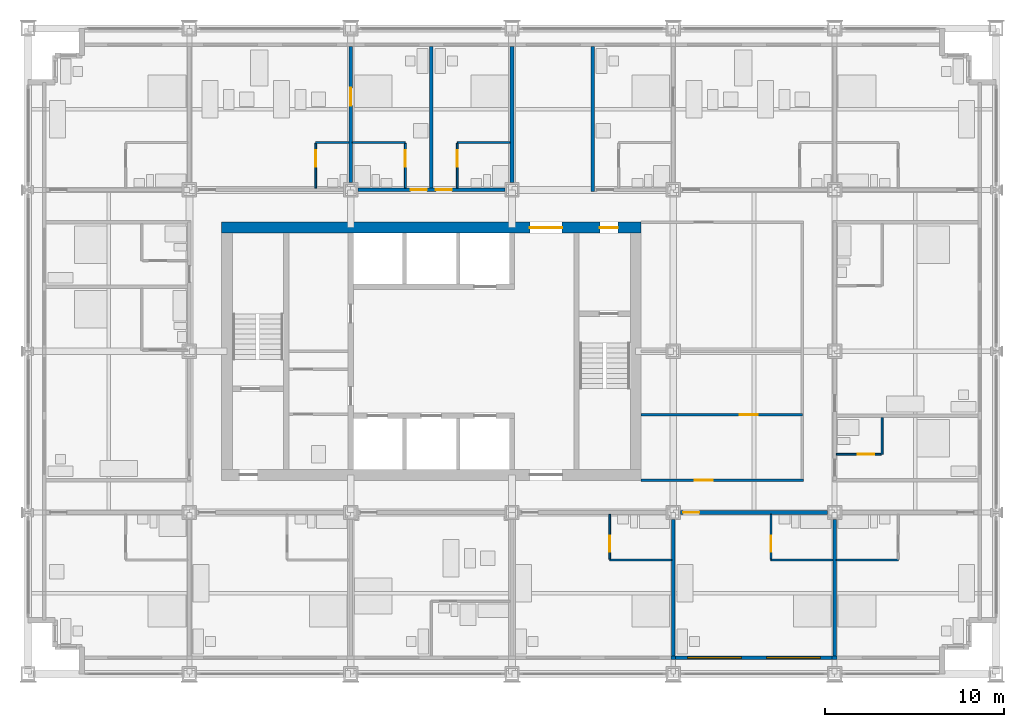
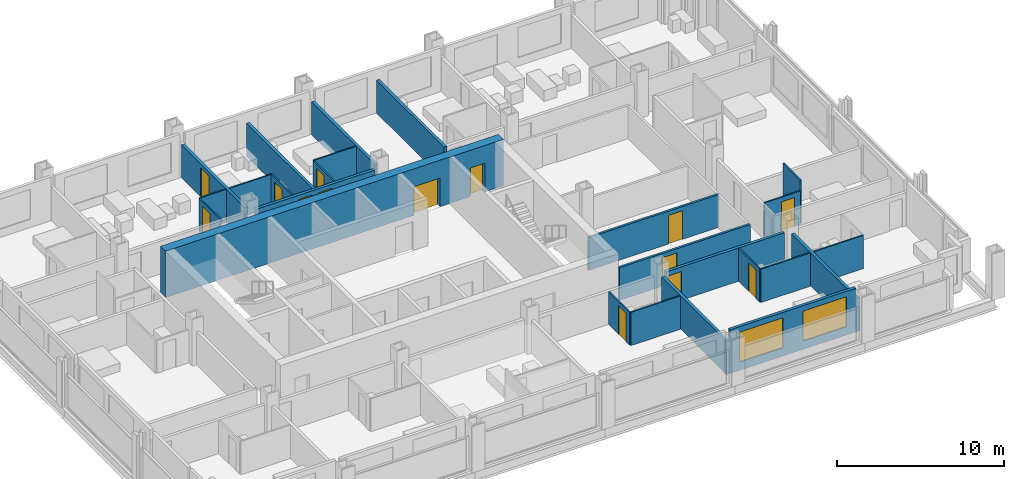
# One storey, part 12 of 18: 27 walls, 14 doors, 2 windows, 16 openings.
"""IFC4 building model written with IfcOpenShell, lengths in metres."""

from ifc_helpers import new_model, si_unit, direction, frame, frame_2d, origin, place, context, subcontext, project, spatial, rectangle, extrude, material, layer, layer_set, type_object, element, fill, save


model = new_model("IFC4")

# Units and contexts
model_context = context("Model", 3, precision=1e-05, world=origin(), true_north=direction((0.0, 1.0)))
body_context = subcontext(model_context, "Body", "Model", "MODEL_VIEW")
ifc_project = project(units=[si_unit("LENGTHUNIT", "METRE"), si_unit("AREAUNIT", "SQUARE_METRE"), si_unit("VOLUMEUNIT", "CUBIC_METRE"), si_unit("PLANEANGLEUNIT", "RADIAN"), si_unit("MASSUNIT", "GRAM", prefix="KILO")], contexts=[model_context])

# Site, building, storey
site_placement = place(None, origin())
site = spatial("IfcSite", under=ifc_project, at=site_placement, CompositionType="ELEMENT")
building_placement = place(site_placement, origin())
building = spatial("IfcBuilding", under=site, at=building_placement, Name="Loomwork Tower", CompositionType="ELEMENT")
storey_placement = place(building_placement, frame((0.0, 0.0, 48.39990234375)))
storey = spatial("IfcBuildingStorey", under=building, at=storey_placement, Name="L11", CompositionType="ELEMENT", Elevation=48.39990234375)

# Wall, openings, doors
ifc_material_1 = material(Name="Concrete 14000 psi (97 MPa)", Category="concrete")
ifc_layer_1 = layer(ifc_material_1, 0.60009765625)
ifc_layer_set_1 = layer_set([ifc_layer_1], Name="Core shear wall 600")
wall_type_1 = type_object("IfcWallType", Name="Core shear wall 600", PredefinedType="SHEAR", material=ifc_layer_set_1)
wall_1_placement = place(storey_placement, frame((10.800048828125, 24.89990234375, 0.0), z_axis=(0.0, 0.0, 1.0), x_axis=(1.0, 0.0, 0.0)))
wall_1 = element("IfcWall", 1, at=wall_1_placement, inside=storey, type_object=wall_type_1, Name="Core wall north L11", PredefinedType="SHEAR", context=body_context, shape_type="SweptSolid", body=[
    extrude(rectangle(XDim=23.39990234375, YDim=0.60009765625, at=frame_2d((11.699951171875, 0.0))), origin(), (0.0, 0.0, 1.0), 3.400146484375),
])
opening_1_placement = place(wall_1_placement, frame((17.199951171875, 0.0, 0.0)))
opening_1 = element("IfcOpeningElement", 2, at=opening_1_placement, cuts=wall_1, Name="Opening D6", PredefinedType="OPENING", context=body_context, shape_type="SweptSolid", body=[
    extrude(rectangle(XDim=1.800048828125, YDim=2.10009765625, at=frame_2d((0.89990234375, 1.050048828125))), frame((0.0, 0.31005859375, 0.0), z_axis=(0.0, -1.0, 0.0), x_axis=(1.0, 0.0, 0.0)), (0.0, 0.0, 1.0), 0.6201171875),
])
opening_2_placement = place(wall_1_placement, frame((21.10009765625, 0.0, 0.0)))
opening_2 = element("IfcOpeningElement", 3, at=opening_2_placement, cuts=wall_1, Name="Opening D4", PredefinedType="OPENING", context=body_context, shape_type="SweptSolid", body=[
    extrude(rectangle(XDim=1.0, YDim=2.10009765625, at=frame_2d((0.5, 1.050048828125))), frame((0.0, 0.31005859375, 0.0), z_axis=(0.0, -1.0, 0.0), x_axis=(1.0, 0.0, 0.0)), (0.0, 0.0, 1.0), 0.6201171875),
])
ifc_material_2 = material(Name="Hollow metal door and frame")
door_type_1 = type_object("IfcDoorType", Name="Lobby passage double door 1800", OperationType="DOUBLE_DOOR_SINGLE_SWING", PredefinedType="DOOR", material=ifc_material_2)
door_1_placement = place(opening_1_placement, frame((1.800048828125, 0.0, 0.0), z_axis=(0.0, 0.0, 1.0), x_axis=(-1.0, 0.0, 0.0)))
door_1 = element("IfcDoor", 4, at=door_1_placement, inside=storey, type_object=door_type_1, Name="Lobby passage door north", OperationType="DOUBLE_DOOR_SINGLE_SWING", OverallHeight=2.10009765625, OverallWidth=1.800048828125, PredefinedType="DOOR", context=body_context, shape_type="SweptSolid", body=[
    extrude(rectangle(XDim=1.800048828125, YDim=2.10009765625, at=frame_2d((0.89990234375, 1.050048828125))), frame((0.0, 0.02490234375, 0.0), z_axis=(0.0, -1.0, 0.0), x_axis=(1.0, 0.0, 0.0)), (0.0, 0.0, 1.0), 0.050048828125),
])
fill(opening_1, door_1)
ifc_material_3 = material(Name="Hollow metal door and frame")
door_type_2 = type_object("IfcDoorType", Name="Stair door 1000", OperationType="SINGLE_SWING_RIGHT", PredefinedType="DOOR", material=ifc_material_3)
door_2_placement = place(opening_2_placement, frame((1.0, 0.0, 0.0), z_axis=(0.0, 0.0, 1.0), x_axis=(-1.0, 0.0, 0.0)))
door_2 = element("IfcDoor", 5, at=door_2_placement, inside=storey, type_object=door_type_2, Name="Stair B vestibule door", OperationType="SINGLE_SWING_LEFT", OverallHeight=2.10009765625, OverallWidth=1.0, PredefinedType="DOOR", context=body_context, shape_type="SweptSolid", body=[
    extrude(rectangle(XDim=1.0, YDim=2.10009765625, at=frame_2d((0.5, 1.050048828125))), frame((0.0, 0.02490234375, 0.0), z_axis=(0.0, -1.0, 0.0), x_axis=(1.0, 0.0, 0.0)), (0.0, 0.0, 1.0), 0.050048828125),
])
fill(opening_2, door_2)

# Wall, opening, door
ifc_material_4 = material(Name="Gypsum board on steel studs, one-hour", Category="steel")
ifc_layer_2 = layer(ifc_material_4, 0.199951171875)
ifc_layer_set_2 = layer_set([ifc_layer_2], Name="Corridor wall 200")
wall_type_2 = type_object("IfcWallType", Name="Corridor wall 200", PredefinedType="PARTITIONING", material=ifc_layer_set_2)
wall_2_placement = place(storey_placement, frame((36.39990234375, 9.0, 0.0), z_axis=(0.0, 0.0, 1.0), x_axis=(1.0, 0.0, 0.0)))
wall_2 = element("IfcWall", 6, at=wall_2_placement, inside=storey, type_object=wall_type_2, Name="South corridor wall 5", PredefinedType="PARTITIONING", context=body_context, shape_type="SweptSolid", body=[
    extrude(rectangle(XDim=8.2001953125, YDim=0.199951171875, at=frame_2d((4.10009765625, 0.0))), origin(), (0.0, 0.0, 1.0), 2.43798828125),
])
opening_3_placement = place(wall_2_placement, frame((0.14990234375, 0.0, 0.0)))
opening_3 = element("IfcOpeningElement", 7, at=opening_3_placement, cuts=wall_2, Name="Opening D1", PredefinedType="OPENING", context=body_context, shape_type="SweptSolid", body=[
    extrude(rectangle(XDim=0.89990234375, YDim=2.10009765625, at=frame_2d((0.449951171875, 1.050048828125))), frame((0.0, 0.10986328125, 0.0), z_axis=(0.0, -1.0, 0.0), x_axis=(1.0, 0.0, 0.0)), (0.0, 0.0, 1.0), 0.219970703125),
])
ifc_material_5 = material(Name="Hollow metal door and frame")
door_type_3 = type_object("IfcDoorType", Name="Guest room entry door 900", OperationType="SINGLE_SWING_LEFT", PredefinedType="DOOR", material=ifc_material_5)
door_3_placement = place(opening_3_placement, frame((0.89990234375, 0.0, 0.0), z_axis=(0.0, 0.0, 1.0), x_axis=(-1.0, 0.0, 0.0)))
door_3 = element("IfcDoor", 8, at=door_3_placement, inside=storey, type_object=door_type_3, Name="Guest room entry door L11 5", OperationType="SINGLE_SWING_RIGHT", OverallHeight=2.10009765625, OverallWidth=0.89990234375, PredefinedType="DOOR", context=body_context, shape_type="SweptSolid", body=[
    extrude(rectangle(XDim=0.89990234375, YDim=2.10009765625, at=frame_2d((0.449951171875, 1.050048828125))), frame((0.0, 0.02490234375, 0.0), z_axis=(0.0, -1.0, 0.0), x_axis=(1.0, 0.0, 0.0)), (0.0, 0.0, 1.0), 0.050048828125),
])
fill(opening_3, door_3)

# Wall, openings, doors
wall_3_placement = place(storey_placement, frame((18.39990234375, 27.0, 0.0), z_axis=(0.0, 0.0, 1.0), x_axis=(1.0, 0.0, 0.0)))
wall_3 = element("IfcWall", 9, at=wall_3_placement, inside=storey, type_object=wall_type_2, Name="North corridor wall 3", PredefinedType="PARTITIONING", context=body_context, shape_type="SweptSolid", body=[
    extrude(rectangle(XDim=8.2001953125, YDim=0.199951171875, at=frame_2d((4.10009765625, 0.0))), origin(), (0.0, 0.0, 1.0), 2.405029296875),
])
opening_4_placement = place(wall_3_placement, frame((2.949951171875, 0.0, 0.0)))
opening_4 = element("IfcOpeningElement", 10, at=opening_4_placement, cuts=wall_3, Name="Opening D1", PredefinedType="OPENING", context=body_context, shape_type="SweptSolid", body=[
    extrude(rectangle(XDim=0.89990234375, YDim=2.10009765625, at=frame_2d((0.449951171875, 1.050048828125))), frame((0.0, 0.10986328125, 0.0), z_axis=(0.0, -1.0, 0.0), x_axis=(1.0, 0.0, 0.0)), (0.0, 0.0, 1.0), 0.219970703125),
])
opening_5_placement = place(wall_3_placement, frame((4.35009765625, 0.0, 0.0)))
opening_5 = element("IfcOpeningElement", 11, at=opening_5_placement, cuts=wall_3, Name="Opening D1", PredefinedType="OPENING", context=body_context, shape_type="SweptSolid", body=[
    extrude(rectangle(XDim=0.89990234375, YDim=2.10009765625, at=frame_2d((0.449951171875, 1.050048828125))), frame((0.0, 0.10986328125, 0.0), z_axis=(0.0, -1.0, 0.0), x_axis=(1.0, 0.0, 0.0)), (0.0, 0.0, 1.0), 0.219970703125),
])
door_4_placement = place(opening_4_placement, origin())
door_4 = element("IfcDoor", 12, at=door_4_placement, inside=storey, type_object=door_type_3, Name="Guest room entry door L11 9", OperationType="SINGLE_SWING_RIGHT", OverallHeight=2.10009765625, OverallWidth=0.89990234375, PredefinedType="DOOR", context=body_context, shape_type="SweptSolid", body=[
    extrude(rectangle(XDim=0.89990234375, YDim=2.10009765625, at=frame_2d((0.449951171875, 1.050048828125))), frame((0.0, 0.02490234375, 0.0), z_axis=(0.0, -1.0, 0.0), x_axis=(1.0, 0.0, 0.0)), (0.0, 0.0, 1.0), 0.050048828125),
])
fill(opening_4, door_4)
door_5_placement = place(opening_5_placement, origin())
door_5 = element("IfcDoor", 13, at=door_5_placement, inside=storey, type_object=door_type_3, Name="Guest room entry door L11 10", OperationType="SINGLE_SWING_LEFT", OverallHeight=2.10009765625, OverallWidth=0.89990234375, PredefinedType="DOOR", context=body_context, shape_type="SweptSolid", body=[
    extrude(rectangle(XDim=0.89990234375, YDim=2.10009765625, at=frame_2d((0.449951171875, 1.050048828125))), frame((0.0, 0.02490234375, 0.0), z_axis=(0.0, -1.0, 0.0), x_axis=(1.0, 0.0, 0.0)), (0.0, 0.0, 1.0), 0.050048828125),
])
fill(opening_5, door_5)

# Wall
ifc_material_6 = material(Name="Cement board on steel studs", Category="steel")
ifc_layer_3 = layer(ifc_material_6, 0.10009765625)
ifc_layer_set_3 = layer_set([ifc_layer_3], Name="En-suite partition 100")
wall_type_3 = type_object("IfcWallType", Name="En-suite partition 100", PredefinedType="PARTITIONING", material=ifc_layer_set_3)
wall_4_placement = place(storey_placement, frame((32.449951171875, 6.35009765625, 0.0), z_axis=(0.0, 0.0, 1.0), x_axis=(1.0, 0.0, 0.0)))
element("IfcWall", 14, at=wall_4_placement, inside=storey, type_object=wall_type_3, Name="En-suite wall L11 room 4", PredefinedType="PARTITIONING", context=body_context, shape_type="SweptSolid", body=[
    extrude(rectangle(XDim=3.449951171875, YDim=0.10009765625, at=frame_2d((1.72509765625, 0.0))), origin(), (0.0, 0.0, 1.0), 2.43798828125),
])

# Wall, opening, door
wall_5_placement = place(storey_placement, frame((32.449951171875, 8.89990234375, 0.0), z_axis=(0.0, 0.0, 1.0), x_axis=(0.0, -1.0, 0.0)))
wall_5 = element("IfcWall", 15, at=wall_5_placement, inside=storey, type_object=wall_type_3, Name="En-suite side wall L11 room 4", PredefinedType="PARTITIONING", context=body_context, shape_type="SweptSolid", body=[
    extrude(rectangle(XDim=2.5, YDim=0.10009765625, at=frame_2d((1.25, 0.0))), origin(), (0.0, 0.0, 1.0), 2.404052734375),
])
opening_6_placement = place(wall_5_placement, frame((1.199951171875, 0.0, 0.0)))
opening_6 = element("IfcOpeningElement", 16, at=opening_6_placement, cuts=wall_5, Name="Opening D2", PredefinedType="OPENING", context=body_context, shape_type="SweptSolid", body=[
    extrude(rectangle(XDim=0.89990234375, YDim=2.10009765625, at=frame_2d((0.449951171875, 1.050048828125))), frame((0.0, 0.06005859375, 0.0), z_axis=(0.0, -1.0, 0.0), x_axis=(1.0, 0.0, 0.0)), (0.0, 0.0, 1.0), 0.1201171875),
])
ifc_material_7 = material(Name="Hollow metal door and frame")
door_type_4 = type_object("IfcDoorType", Name="En-suite door 900", OperationType="SINGLE_SWING_LEFT", PredefinedType="DOOR", material=ifc_material_7)
door_6_placement = place(opening_6_placement, origin())
door_6 = element("IfcDoor", 17, at=door_6_placement, inside=storey, type_object=door_type_4, Name="En-suite door room 4", OperationType="SINGLE_SWING_RIGHT", OverallHeight=2.10009765625, OverallWidth=0.89990234375, PredefinedType="DOOR", context=body_context, shape_type="SweptSolid", body=[
    extrude(rectangle(XDim=0.89990234375, YDim=2.10009765625, at=frame_2d((0.449951171875, 1.050048828125))), frame((0.0, 0.02490234375, 0.0), z_axis=(0.0, -1.0, 0.0), x_axis=(1.0, 0.0, 0.0)), (0.0, 0.0, 1.0), 0.050048828125),
])
fill(opening_6, door_6)

# Wall
wall_6_placement = place(storey_placement, frame((41.449951171875, 6.35009765625, 0.0), z_axis=(0.0, 0.0, 1.0), x_axis=(1.0, 0.0, 0.0)))
element("IfcWall", 18, at=wall_6_placement, inside=storey, type_object=wall_type_3, Name="En-suite wall L11 room 5", PredefinedType="PARTITIONING", context=body_context, shape_type="SweptSolid", body=[
    extrude(rectangle(XDim=3.449951171875, YDim=0.10009765625, at=frame_2d((1.72509765625, 0.0))), origin(), (0.0, 0.0, 1.0), 2.43798828125),
])

# Wall, opening, door
wall_7_placement = place(storey_placement, frame((41.449951171875, 8.89990234375, 0.0), z_axis=(0.0, 0.0, 1.0), x_axis=(0.0, -1.0, 0.0)))
wall_7 = element("IfcWall", 19, at=wall_7_placement, inside=storey, type_object=wall_type_3, Name="En-suite side wall L11 room 5", PredefinedType="PARTITIONING", context=body_context, shape_type="SweptSolid", body=[
    extrude(rectangle(XDim=2.5, YDim=0.10009765625, at=frame_2d((1.25, 0.0))), origin(), (0.0, 0.0, 1.0), 2.43798828125),
])
opening_7_placement = place(wall_7_placement, frame((1.199951171875, 0.0, 0.0)))
opening_7 = element("IfcOpeningElement", 20, at=opening_7_placement, cuts=wall_7, Name="Opening D2", PredefinedType="OPENING", context=body_context, shape_type="SweptSolid", body=[
    extrude(rectangle(XDim=0.89990234375, YDim=2.10009765625, at=frame_2d((0.449951171875, 1.050048828125))), frame((0.0, 0.06005859375, 0.0), z_axis=(0.0, -1.0, 0.0), x_axis=(1.0, 0.0, 0.0)), (0.0, 0.0, 1.0), 0.1201171875),
])
door_7_placement = place(opening_7_placement, origin())
door_7 = element("IfcDoor", 21, at=door_7_placement, inside=storey, type_object=door_type_4, Name="En-suite door room 5", OperationType="SINGLE_SWING_RIGHT", OverallHeight=2.10009765625, OverallWidth=0.89990234375, PredefinedType="DOOR", context=body_context, shape_type="SweptSolid", body=[
    extrude(rectangle(XDim=0.89990234375, YDim=2.10009765625, at=frame_2d((0.449951171875, 1.050048828125))), frame((0.0, 0.02490234375, 0.0), z_axis=(0.0, -1.0, 0.0), x_axis=(1.0, 0.0, 0.0)), (0.0, 0.0, 1.0), 0.050048828125),
])
fill(opening_7, door_7)

# Walls
wall_8_placement = place(storey_placement, frame((45.10009765625, 6.35009765625, 0.0), z_axis=(0.0, 0.0, 1.0), x_axis=(1.0, 0.0, 0.0)))
element("IfcWall", 22, at=wall_8_placement, inside=storey, type_object=wall_type_3, Name="En-suite wall L11 room 6", PredefinedType="PARTITIONING", context=body_context, shape_type="SweptSolid", body=[
    extrude(rectangle(XDim=3.449951171875, YDim=0.10009765625, at=frame_2d((1.72509765625, 0.0))), origin(), (0.0, 0.0, 1.0), 2.43798828125),
])
wall_9_placement = place(storey_placement, frame((16.050048828125, 29.64990234375, 0.0), z_axis=(0.0, 0.0, 1.0), x_axis=(1.0, 0.0, 0.0)))
element("IfcWall", 23, at=wall_9_placement, inside=storey, type_object=wall_type_3, Name="En-suite wall L11 room 8", PredefinedType="PARTITIONING", context=body_context, shape_type="SweptSolid", body=[
    extrude(rectangle(XDim=1.849853515625, YDim=0.10009765625, at=frame_2d((0.9248046875, 0.0))), origin(), (0.0, 0.0, 1.0), 2.404052734375),
])

# Wall, opening, door
wall_10_placement = place(storey_placement, frame((16.050048828125, 27.10009765625, 0.0), z_axis=(0.0, 0.0, 1.0), x_axis=(0.0, 1.0, 0.0)))
wall_10 = element("IfcWall", 24, at=wall_10_placement, inside=storey, type_object=wall_type_3, Name="En-suite side wall L11 room 8", PredefinedType="PARTITIONING", context=body_context, shape_type="SweptSolid", body=[
    extrude(rectangle(XDim=2.5, YDim=0.10009765625, at=frame_2d((1.25, 0.0))), origin(), (0.0, 0.0, 1.0), 2.404052734375),
])
opening_8_placement = place(wall_10_placement, frame((1.199951171875, 0.0, 0.0)))
opening_8 = element("IfcOpeningElement", 25, at=opening_8_placement, cuts=wall_10, Name="Opening D2", PredefinedType="OPENING", context=body_context, shape_type="SweptSolid", body=[
    extrude(rectangle(XDim=0.89990234375, YDim=2.10009765625, at=frame_2d((0.449951171875, 1.050048828125))), frame((0.0, 0.06005859375, 0.0), z_axis=(0.0, -1.0, 0.0), x_axis=(1.0, 0.0, 0.0)), (0.0, 0.0, 1.0), 0.1201171875),
])
door_8_placement = place(opening_8_placement, frame((0.89990234375, 0.0, 0.0), z_axis=(0.0, 0.0, 1.0), x_axis=(-1.0, 0.0, 0.0)))
door_8 = element("IfcDoor", 26, at=door_8_placement, inside=storey, type_object=door_type_4, Name="Suite powder room door room 8", OperationType="SINGLE_SWING_LEFT", OverallHeight=2.10009765625, OverallWidth=0.89990234375, PredefinedType="DOOR", context=body_context, shape_type="SweptSolid", body=[
    extrude(rectangle(XDim=0.89990234375, YDim=2.10009765625, at=frame_2d((0.449951171875, 1.050048828125))), frame((0.0, 0.02490234375, 0.0), z_axis=(0.0, -1.0, 0.0), x_axis=(1.0, 0.0, 0.0)), (0.0, 0.0, 1.0), 0.050048828125),
])
fill(opening_8, door_8)

# Wall
wall_11_placement = place(storey_placement, frame((18.10009765625, 29.64990234375, 0.0), z_axis=(0.0, 0.0, 1.0), x_axis=(1.0, 0.0, 0.0)))
element("IfcWall", 27, at=wall_11_placement, inside=storey, type_object=wall_type_3, Name="En-suite wall L11 room 9", PredefinedType="PARTITIONING", context=body_context, shape_type="SweptSolid", body=[
    extrude(rectangle(XDim=2.949951171875, YDim=0.10009765625, at=frame_2d((1.47509765625, 0.0))), origin(), (0.0, 0.0, 1.0), 2.404052734375),
])

# Wall, opening, door
wall_12_placement = place(storey_placement, frame((21.050048828125, 27.10009765625, 0.0), z_axis=(0.0, 0.0, 1.0), x_axis=(0.0, 1.0, 0.0)))
wall_12 = element("IfcWall", 28, at=wall_12_placement, inside=storey, type_object=wall_type_3, Name="En-suite side wall L11 room 9", PredefinedType="PARTITIONING", context=body_context, shape_type="SweptSolid", body=[
    extrude(rectangle(XDim=2.5, YDim=0.10009765625, at=frame_2d((1.25, 0.0))), origin(), (0.0, 0.0, 1.0), 2.404052734375),
])
opening_9_placement = place(wall_12_placement, frame((1.199951171875, 0.0, 0.0)))
opening_9 = element("IfcOpeningElement", 29, at=opening_9_placement, cuts=wall_12, Name="Opening D2", PredefinedType="OPENING", context=body_context, shape_type="SweptSolid", body=[
    extrude(rectangle(XDim=0.89990234375, YDim=2.10009765625, at=frame_2d((0.449951171875, 1.050048828125))), frame((0.0, 0.06005859375, 0.0), z_axis=(0.0, -1.0, 0.0), x_axis=(1.0, 0.0, 0.0)), (0.0, 0.0, 1.0), 0.1201171875),
])
door_9_placement = place(opening_9_placement, origin())
door_9 = element("IfcDoor", 30, at=door_9_placement, inside=storey, type_object=door_type_4, Name="En-suite door room 9", OperationType="SINGLE_SWING_RIGHT", OverallHeight=2.10009765625, OverallWidth=0.89990234375, PredefinedType="DOOR", context=body_context, shape_type="SweptSolid", body=[
    extrude(rectangle(XDim=0.89990234375, YDim=2.10009765625, at=frame_2d((0.449951171875, 1.050048828125))), frame((0.0, 0.02490234375, 0.0), z_axis=(0.0, -1.0, 0.0), x_axis=(1.0, 0.0, 0.0)), (0.0, 0.0, 1.0), 0.050048828125),
])
fill(opening_9, door_9)

# Wall
wall_13_placement = place(storey_placement, frame((23.949951171875, 29.64990234375, 0.0), z_axis=(0.0, 0.0, 1.0), x_axis=(1.0, 0.0, 0.0)))
element("IfcWall", 31, at=wall_13_placement, inside=storey, type_object=wall_type_3, Name="En-suite wall L11 room 10", PredefinedType="PARTITIONING", context=body_context, shape_type="SweptSolid", body=[
    extrude(rectangle(XDim=2.949951171875, YDim=0.10009765625, at=frame_2d((1.47509765625, 0.0))), origin(), (0.0, 0.0, 1.0), 2.404052734375),
])

# Wall, opening, door
wall_14_placement = place(storey_placement, frame((23.949951171875, 27.10009765625, 0.0), z_axis=(0.0, 0.0, 1.0), x_axis=(0.0, 1.0, 0.0)))
wall_14 = element("IfcWall", 32, at=wall_14_placement, inside=storey, type_object=wall_type_3, Name="En-suite side wall L11 room 10", PredefinedType="PARTITIONING", context=body_context, shape_type="SweptSolid", body=[
    extrude(rectangle(XDim=2.5, YDim=0.10009765625, at=frame_2d((1.25, 0.0))), origin(), (0.0, 0.0, 1.0), 2.404052734375),
])
opening_10_placement = place(wall_14_placement, frame((1.199951171875, 0.0, 0.0)))
opening_10 = element("IfcOpeningElement", 33, at=opening_10_placement, cuts=wall_14, Name="Opening D2", PredefinedType="OPENING", context=body_context, shape_type="SweptSolid", body=[
    extrude(rectangle(XDim=0.89990234375, YDim=2.10009765625, at=frame_2d((0.449951171875, 1.050048828125))), frame((0.0, 0.06005859375, 0.0), z_axis=(0.0, -1.0, 0.0), x_axis=(1.0, 0.0, 0.0)), (0.0, 0.0, 1.0), 0.1201171875),
])
door_10_placement = place(opening_10_placement, frame((0.89990234375, 0.0, 0.0), z_axis=(0.0, 0.0, 1.0), x_axis=(-1.0, 0.0, 0.0)))
door_10 = element("IfcDoor", 34, at=door_10_placement, inside=storey, type_object=door_type_4, Name="En-suite door room 10", OperationType="SINGLE_SWING_LEFT", OverallHeight=2.10009765625, OverallWidth=0.89990234375, PredefinedType="DOOR", context=body_context, shape_type="SweptSolid", body=[
    extrude(rectangle(XDim=0.89990234375, YDim=2.10009765625, at=frame_2d((0.449951171875, 1.050048828125))), frame((0.0, 0.02490234375, 0.0), z_axis=(0.0, -1.0, 0.0), x_axis=(1.0, 0.0, 0.0)), (0.0, 0.0, 1.0), 0.050048828125),
])
fill(opening_10, door_10)

# Wall
wall_15_placement = place(storey_placement, frame((47.64990234375, 12.25, 0.0), z_axis=(0.0, 0.0, 1.0), x_axis=(0.0, 1.0, 0.0)))
element("IfcWall", 35, at=wall_15_placement, inside=storey, type_object=wall_type_3, Name="En-suite wall L11 room 16", PredefinedType="PARTITIONING", context=body_context, shape_type="SweptSolid", body=[
    extrude(rectangle(XDim=2.050048828125, YDim=0.10009765625, at=frame_2d((1.02490234375, 0.0))), origin(), (0.0, 0.0, 1.0), 3.2001953125),
])

# Wall, opening, door
wall_16_placement = place(storey_placement, frame((45.10009765625, 12.25, 0.0), z_axis=(0.0, 0.0, 1.0), x_axis=(1.0, 0.0, 0.0)))
wall_16 = element("IfcWall", 36, at=wall_16_placement, inside=storey, type_object=wall_type_3, Name="En-suite side wall L11 room 16", PredefinedType="PARTITIONING", context=body_context, shape_type="SweptSolid", body=[
    extrude(rectangle(XDim=2.5, YDim=0.10009765625, at=frame_2d((1.25, 0.0))), origin(), (0.0, 0.0, 1.0), 2.43798828125),
])
opening_11_placement = place(wall_16_placement, frame((1.199951171875, 0.0, 0.0)))
opening_11 = element("IfcOpeningElement", 37, at=opening_11_placement, cuts=wall_16, Name="Opening D3", PredefinedType="OPENING", context=body_context, shape_type="SweptSolid", body=[
    extrude(rectangle(XDim=0.89990234375, YDim=2.10009765625, at=frame_2d((0.449951171875, 1.050048828125))), frame((0.0, 0.06005859375, 0.0), z_axis=(0.0, -1.0, 0.0), x_axis=(1.0, 0.0, 0.0)), (0.0, 0.0, 1.0), 0.1201171875),
])
ifc_material_8 = material(Name="Hollow metal door and frame")
door_type_5 = type_object("IfcDoorType", Name="Accessible en-suite door 900", OperationType="SLIDING_TO_LEFT", PredefinedType="DOOR", material=ifc_material_8)
door_11_placement = place(opening_11_placement, origin())
door_11 = element("IfcDoor", 38, at=door_11_placement, inside=storey, type_object=door_type_5, Name="Accessible en-suite door room 16", OperationType="SLIDING_TO_LEFT", OverallHeight=2.10009765625, OverallWidth=0.89990234375, PredefinedType="DOOR", context=body_context, shape_type="SweptSolid", body=[
    extrude(rectangle(XDim=0.89990234375, YDim=2.10009765625, at=frame_2d((0.449951171875, 1.050048828125))), frame((0.0, 0.02490234375, 0.0), z_axis=(0.0, -1.0, 0.0), x_axis=(1.0, 0.0, 0.0)), (0.0, 0.0, 1.0), 0.050048828125),
])
fill(opening_11, door_11)

# Walls
ifc_material_9 = material(Name="Gypsum board on steel studs, acoustic", Category="steel")
ifc_layer_4 = layer(ifc_material_9, 0.199951171875)
ifc_layer_set_4 = layer_set([ifc_layer_4], Name="Guest room party wall 200")
wall_type_4 = type_object("IfcWallType", Name="Guest room party wall 200", PredefinedType="PARTITIONING", material=ifc_layer_set_4)
for number, where, z_axis, x_axis, name in (
    (39, (36.0, 8.60009765625, 0.0), (0.0, 0.0, 1.0), (0.0, -1.0, 0.0), "Guest room party wall S 36"),
    (40, (45.0, 8.60009765625, 0.0), (0.0, 0.0, 1.0), (0.0, -1.0, 0.0), "Guest room party wall S 45"),
):
    element("IfcWall", number, at=place(storey_placement, frame(where, z_axis=z_axis, x_axis=x_axis)), inside=storey, type_object=wall_type_4, Name=name, PredefinedType="PARTITIONING", context=body_context, shape_type="SweptSolid", body=[
        extrude(rectangle(XDim=7.60009765625, YDim=0.199951171875, at=frame_2d((3.800048828125, 0.0))), origin(), (0.0, 0.0, 1.0), 2.43798828125),
    ])

# Wall, opening, door
wall_17_placement = place(storey_placement, frame((18.0, 27.39990234375, 0.0), z_axis=(0.0, 0.0, 1.0), x_axis=(0.0, 1.0, 0.0)))
wall_17 = element("IfcWall", 41, at=wall_17_placement, inside=storey, type_object=wall_type_4, Name="Guest room party wall N 18", PredefinedType="PARTITIONING", context=body_context, shape_type="SweptSolid", body=[
    extrude(rectangle(XDim=7.60009765625, YDim=0.199951171875, at=frame_2d((3.800048828125, 0.0))), origin(), (0.0, 0.0, 1.0), 2.405029296875),
])
opening_12_placement = place(wall_17_placement, frame((4.300048828125, 0.0, 0.0)))
opening_12 = element("IfcOpeningElement", 42, at=opening_12_placement, cuts=wall_17, Name="Opening D7", PredefinedType="OPENING", context=body_context, shape_type="SweptSolid", body=[
    extrude(rectangle(XDim=1.0, YDim=2.10009765625, at=frame_2d((0.5, 1.050048828125))), frame((0.0, 0.10986328125, 0.0), z_axis=(0.0, -1.0, 0.0), x_axis=(1.0, 0.0, 0.0)), (0.0, 0.0, 1.0), 0.219970703125),
])
ifc_material_10 = material(Name="Hollow metal door and frame")
door_type_6 = type_object("IfcDoorType", Name="Room door 1000", OperationType="SINGLE_SWING_LEFT", PredefinedType="DOOR", material=ifc_material_10)
door_12_placement = place(opening_12_placement, frame((1.0, 0.0, 0.0), z_axis=(0.0, 0.0, 1.0), x_axis=(-1.0, 0.0, 0.0)))
door_12 = element("IfcDoor", 43, at=door_12_placement, inside=storey, type_object=door_type_6, Name="Suite connecting door L11 N 18", OperationType="SINGLE_SWING_RIGHT", OverallHeight=2.10009765625, OverallWidth=1.0, PredefinedType="DOOR", context=body_context, shape_type="SweptSolid", body=[
    extrude(rectangle(XDim=1.0, YDim=2.10009765625, at=frame_2d((0.5, 1.050048828125))), frame((0.0, 0.02490234375, 0.0), z_axis=(0.0, -1.0, 0.0), x_axis=(1.0, 0.0, 0.0)), (0.0, 0.0, 1.0), 0.050048828125),
])
fill(opening_12, door_12)

# Walls
wall_18_placement = place(storey_placement, frame((22.5, 27.10009765625, 0.0), z_axis=(0.0, 0.0, 1.0), x_axis=(0.0, 1.0, 0.0)))
element("IfcWall", 44, at=wall_18_placement, inside=storey, type_object=wall_type_4, Name="Guest room party wall N 22.5", PredefinedType="PARTITIONING", context=body_context, shape_type="SweptSolid", body=[
    extrude(rectangle(XDim=7.89990234375, YDim=0.199951171875, at=frame_2d((3.949951171875, 0.0))), origin(), (0.0, 0.0, 1.0), 2.404052734375),
])
wall_19_placement = place(storey_placement, frame((27.0, 27.39990234375, 0.0), z_axis=(0.0, 0.0, 1.0), x_axis=(0.0, 1.0, 0.0)))
element("IfcWall", 45, at=wall_19_placement, inside=storey, type_object=wall_type_4, Name="Guest room party wall N 27", PredefinedType="PARTITIONING", context=body_context, shape_type="SweptSolid", body=[
    extrude(rectangle(XDim=7.60009765625, YDim=0.199951171875, at=frame_2d((3.800048828125, 0.0))), origin(), (0.0, 0.0, 1.0), 2.405029296875),
])
wall_20_placement = place(storey_placement, frame((31.5, 26.89990234375, 0.0), z_axis=(0.0, 0.0, 1.0), x_axis=(0.0, 1.0, 0.0)))
element("IfcWall", 46, at=wall_20_placement, inside=storey, type_object=wall_type_4, Name="Guest room party wall N 31.5", PredefinedType="PARTITIONING", context=body_context, shape_type="SweptSolid", body=[
    extrude(rectangle(XDim=8.10009765625, YDim=0.199951171875, at=frame_2d((4.050048828125, 0.0))), origin(), (0.0, 0.0, 1.0), 2.404052734375),
])
ifc_material_11 = material(Name="Insulated steel stud wall with gypsum lining", Category="steel")
ifc_layer_5 = layer(ifc_material_11, 0.199951171875)
ifc_layer_set_5 = layer_set([ifc_layer_5], Name="Inner skin wall 200")
wall_type_5 = type_object("IfcWallType", Name="Inner skin wall 200", PredefinedType="SOLIDWALL", material=ifc_layer_set_5)
wall_21_placement = place(storey_placement, frame((35.864501953125, 0.89990234375, 0.0), z_axis=(0.0, 0.0, 1.0), x_axis=(1.0, 0.0, 0.0)))
element("IfcWall", 47, at=wall_21_placement, inside=storey, type_object=wall_type_5, Name="Inner skin wall S bay 8", PredefinedType="SOLIDWALL", context=body_context, shape_type="SweptSolid", body=[
    extrude(rectangle(XDim=0.27099609375, YDim=0.199951171875, at=frame_2d((0.135498046875, 0.0))), origin(), (0.0, 0.0, 1.0), 2.43798828125),
])

# Wall, openings, windows
wall_22_placement = place(storey_placement, frame((36.135498046875, 0.89990234375, 0.0), z_axis=(0.0, 0.0, 1.0), x_axis=(1.0, 0.0, 0.0)))
wall_22 = element("IfcWall", 48, at=wall_22_placement, inside=storey, type_object=wall_type_5, Name="Inner skin wall S bay 9", PredefinedType="SOLIDWALL", context=body_context, shape_type="SweptSolid", body=[
    extrude(rectangle(XDim=8.72900390625, YDim=0.199951171875, at=frame_2d((4.364501953125, 0.0))), origin(), (0.0, 0.0, 1.0), 3.2001953125),
])
opening_13_placement = place(wall_22_placement, frame((0.66455078125, 0.0, 0.60009765625)))
opening_13 = element("IfcOpeningElement", 49, at=opening_13_placement, cuts=wall_22, Name="Opening CH1", PredefinedType="OPENING", context=body_context, shape_type="SweptSolid", body=[
    extrude(rectangle(XDim=3.0, YDim=2.199951171875, at=frame_2d((1.5, 1.10009765625))), frame((0.0, 0.10986328125, 0.0), z_axis=(0.0, -1.0, 0.0), x_axis=(1.0, 0.0, 0.0)), (0.0, 0.0, 1.0), 0.219970703125),
])
opening_14_placement = place(wall_22_placement, frame((5.064697265625, 0.0, 0.60009765625)))
opening_14 = element("IfcOpeningElement", 50, at=opening_14_placement, cuts=wall_22, Name="Opening CH1", PredefinedType="OPENING", context=body_context, shape_type="SweptSolid", body=[
    extrude(rectangle(XDim=3.0, YDim=2.199951171875, at=frame_2d((1.5, 1.10009765625))), frame((0.0, 0.10986328125, 0.0), z_axis=(0.0, -1.0, 0.0), x_axis=(1.0, 0.0, 0.0)), (0.0, 0.0, 1.0), 0.219970703125),
])
ifc_material_12 = material(Name="Aluminium frame with clear insulated glass", Category="aluminium")
window_type = type_object("IfcWindowType", Name="Chicago window 3000", PartitioningType="TRIPLE_PANEL_VERTICAL", PredefinedType="WINDOW", material=ifc_material_12)
window_1_placement = place(opening_13_placement, origin())
window_1 = element("IfcWindow", 51, at=window_1_placement, inside=storey, type_object=window_type, Name="Chicago window L11 bay 5", OverallHeight=2.199951171875, OverallWidth=3.0, PartitioningType="TRIPLE_PANEL_VERTICAL", PredefinedType="WINDOW", context=body_context, shape_type="SweptSolid", body=[
    extrude(rectangle(XDim=3.0, YDim=2.199951171875, at=frame_2d((1.5, 1.10009765625))), frame((0.0, 0.030029296875, 0.0), z_axis=(0.0, -1.0, 0.0), x_axis=(1.0, 0.0, 0.0)), (0.0, 0.0, 1.0), 0.06005859375),
])
fill(opening_13, window_1)
window_2_placement = place(opening_14_placement, origin())
window_2 = element("IfcWindow", 52, at=window_2_placement, inside=storey, type_object=window_type, Name="Chicago window L11 bay 5", OverallHeight=2.199951171875, OverallWidth=3.0, PartitioningType="TRIPLE_PANEL_VERTICAL", PredefinedType="WINDOW", context=body_context, shape_type="SweptSolid", body=[
    extrude(rectangle(XDim=3.0, YDim=2.199951171875, at=frame_2d((1.5, 1.10009765625))), frame((0.0, 0.030029296875, 0.0), z_axis=(0.0, -1.0, 0.0), x_axis=(1.0, 0.0, 0.0)), (0.0, 0.0, 1.0), 0.06005859375),
])
fill(opening_14, window_2)

# Wall
wall_23_placement = place(storey_placement, frame((44.864501953125, 0.89990234375, 0.0), z_axis=(0.0, 0.0, 1.0), x_axis=(1.0, 0.0, 0.0)))
element("IfcWall", 53, at=wall_23_placement, inside=storey, type_object=wall_type_5, Name="Inner skin wall S bay 10", PredefinedType="SOLIDWALL", context=body_context, shape_type="SweptSolid", body=[
    extrude(rectangle(XDim=0.27099609375, YDim=0.199951171875, at=frame_2d((0.135498046875, 0.0))), origin(), (0.0, 0.0, 1.0), 2.43798828125),
])

# Wall, opening, door
ifc_material_13 = material(Name="Gypsum board on steel studs, one-hour", Category="steel")
ifc_layer_6 = layer(ifc_material_13, 0.14990234375)
ifc_layer_set_6 = layer_set([ifc_layer_6], Name="Service partition 150")
wall_type_6 = type_object("IfcWallType", Name="Service partition 150", PredefinedType="PARTITIONING", material=ifc_layer_set_6)
wall_24_placement = place(storey_placement, frame((34.199951171875, 10.800048828125, 0.0), z_axis=(0.0, 0.0, 1.0), x_axis=(1.0, 0.0, 0.0)))
wall_24 = element("IfcWall", 54, at=wall_24_placement, inside=storey, type_object=wall_type_6, Name="Service block wall S", PredefinedType="PARTITIONING", context=body_context, shape_type="SweptSolid", body=[
    extrude(rectangle(XDim=9.074951171875, YDim=0.14990234375, at=frame_2d((4.53759765625, 0.0))), origin(), (0.0, 0.0, 1.0), 2.404052734375),
])
opening_15_placement = place(wall_24_placement, frame((3.0, 0.0, 0.0)))
opening_15 = element("IfcOpeningElement", 55, at=opening_15_placement, cuts=wall_24, Name="Opening D5", PredefinedType="OPENING", context=body_context, shape_type="SweptSolid", body=[
    extrude(rectangle(XDim=1.0, YDim=2.10009765625, at=frame_2d((0.5, 1.050048828125))), frame((0.0, 0.0849609375, 0.0), z_axis=(0.0, -1.0, 0.0), x_axis=(1.0, 0.0, 0.0)), (0.0, 0.0, 1.0), 0.169921875),
])
ifc_material_14 = material(Name="Hollow metal door and frame")
door_type_7 = type_object("IfcDoorType", Name="Service door 1000", OperationType="SINGLE_SWING_LEFT", PredefinedType="DOOR", material=ifc_material_14)
door_13_placement = place(opening_15_placement, origin())
door_13 = element("IfcDoor", 56, at=door_13_placement, inside=storey, type_object=door_type_7, Name="Housekeeping store door", OperationType="SINGLE_SWING_LEFT", OverallHeight=2.10009765625, OverallWidth=1.0, PredefinedType="DOOR", context=body_context, shape_type="SweptSolid", body=[
    extrude(rectangle(XDim=1.0, YDim=2.10009765625, at=frame_2d((0.5, 1.050048828125))), frame((0.0, 0.02490234375, 0.0), z_axis=(0.0, -1.0, 0.0), x_axis=(1.0, 0.0, 0.0)), (0.0, 0.0, 1.0), 0.050048828125),
])
fill(opening_15, door_13)

wall_25_placement = place(storey_placement, frame((34.199951171875, 14.449951171875, 0.0), z_axis=(0.0, 0.0, 1.0), x_axis=(1.0, 0.0, 0.0)))
wall_25 = element("IfcWall", 57, at=wall_25_placement, inside=storey, type_object=wall_type_6, Name="Housekeeping partition L11", PredefinedType="PARTITIONING", context=body_context, shape_type="SweptSolid", body=[
    extrude(rectangle(XDim=9.0, YDim=0.14990234375, at=frame_2d((4.5, 0.0))), origin(), (0.0, 0.0, 1.0), 2.404052734375),
])
opening_16_placement = place(wall_25_placement, frame((5.5, 0.0, 0.0)))
opening_16 = element("IfcOpeningElement", 58, at=opening_16_placement, cuts=wall_25, Name="Opening D5", PredefinedType="OPENING", context=body_context, shape_type="SweptSolid", body=[
    extrude(rectangle(XDim=1.0, YDim=2.10009765625, at=frame_2d((0.5, 1.050048828125))), frame((0.0, 0.0849609375, 0.0), z_axis=(0.0, -1.0, 0.0), x_axis=(1.0, 0.0, 0.0)), (0.0, 0.0, 1.0), 0.169921875),
])
door_14_placement = place(opening_16_placement, origin())
door_14 = element("IfcDoor", 59, at=door_14_placement, inside=storey, type_object=door_type_7, Name="Guest laundry door", OperationType="SINGLE_SWING_RIGHT", OverallHeight=2.10009765625, OverallWidth=1.0, PredefinedType="DOOR", context=body_context, shape_type="SweptSolid", body=[
    extrude(rectangle(XDim=1.0, YDim=2.10009765625, at=frame_2d((0.5, 1.050048828125))), frame((0.0, 0.02490234375, 0.0), z_axis=(0.0, -1.0, 0.0), x_axis=(1.0, 0.0, 0.0)), (0.0, 0.0, 1.0), 0.050048828125),
])
fill(opening_16, door_14)

save(model, "model.ifc")
